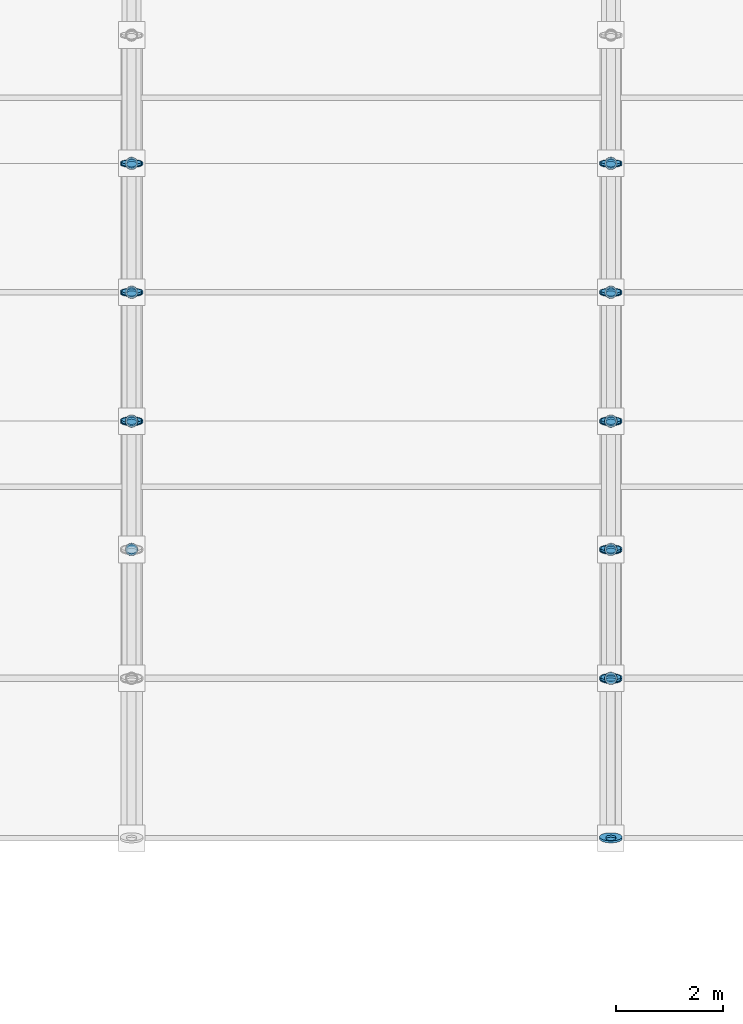
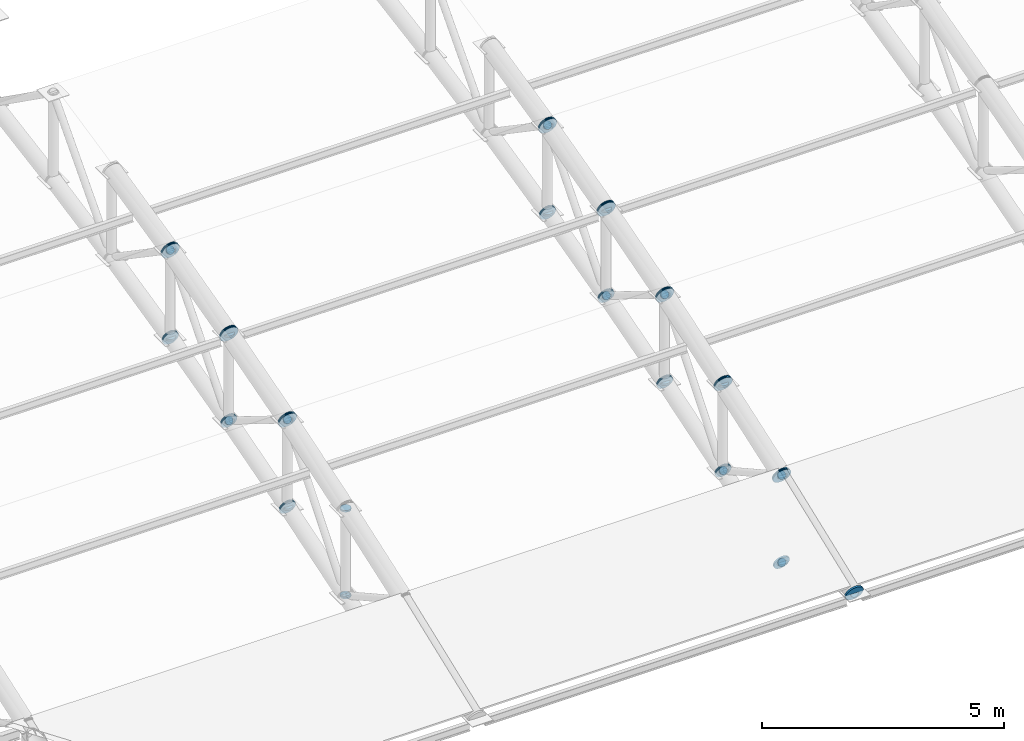
# One storey, part 118 of 195: 68 discrete accessories.
"""IFC4 building model written with IfcOpenShell, lengths in metres."""

from ifc_helpers import new_model, si_unit, direction, frame, origin, origin_2d, place, context, subcontext, project, spatial, circle, extrude, material, element, save


model = new_model("IFC4")

# Units and contexts
model_context = context("Model", 3, precision=1e-05, world=origin(), true_north=direction((0.0, 1.0)))
body_context = subcontext(model_context, "Body", "Model", "MODEL_VIEW")
ifc_project = project(units=[si_unit("LENGTHUNIT", "METRE"), si_unit("AREAUNIT", "SQUARE_METRE"), si_unit("VOLUMEUNIT", "CUBIC_METRE"), si_unit("PLANEANGLEUNIT", "RADIAN"), si_unit("MASSUNIT", "GRAM", prefix="KILO")], contexts=[model_context])

# Site, building, storey
site_placement = place(None, origin())
site = spatial("IfcSite", under=ifc_project, at=site_placement, CompositionType="ELEMENT")
building_placement = place(site_placement, origin())
building = spatial("IfcBuilding", under=site, at=building_placement, Name="Marlcrest Central Station", CompositionType="ELEMENT")
storey_placement = place(building_placement, frame((0.0, 0.0, 9.800048828125)))
storey = spatial("IfcBuildingStorey", under=building, at=storey_placement, Name="L02", CompositionType="ELEMENT", Elevation=9.800048828125)

# Discrete accessories
ifc_material = material(Name="Steel S355", Category="steel")
discrete_accessory_1_placement = place(storey_placement, frame((18.0, 41.306396484375, 3.2158203125), z_axis=(0.0, 0.952116828449, 0.305734435391), x_axis=(-1.0, 0.0, 0.0)))
element("IfcDiscreteAccessory", 1, at=discrete_accessory_1_placement, inside=storey, material=ifc_material, Name="endcap-mem-AC-01-L02-00299-e", ObjectType="END_CAP_PLATE", PredefinedType="BRACKET", context=body_context, shape_type="SweptSolid", body=[
    extrude(circle(Radius=0.211181640625, at=origin_2d()), origin(), (0.0, 0.0, 1.0), 0.0400390625),
])
discrete_accessory_2_placement = place(storey_placement, frame((18.0, 41.306396484375, 1.015869140625), z_axis=(0.0, 0.952116828449, 0.305734435391), x_axis=(-1.0, 0.0, 0.0)))
element("IfcDiscreteAccessory", 2, at=discrete_accessory_2_placement, inside=storey, material=ifc_material, Name="endcap-mem-AC-02-L02-00300-e", ObjectType="END_CAP_PLATE", PredefinedType="BRACKET", context=body_context, shape_type="SweptSolid", body=[
    extrude(circle(Radius=0.185791015625, at=origin_2d()), origin(), (0.0, 0.0, 1.0), 0.0400390625),
])
for number, where, z_axis, x_axis, name in (
    (3, (18.0, 38.919921875, 0.234619140625), (0.0, 0.0, 1.0), (1.0, 0.0, 0.0), "endcap-mem-AP-01-L02-00301-s"),
    (4, (18.0, 38.919921875, 2.424560546875), (0.0, 0.0, 1.0), (1.0, 0.0, 0.0), "endcap-mem-AP-01-L02-00301-e"),
):
    element("IfcDiscreteAccessory", number, at=place(storey_placement, frame(where, z_axis=z_axis, x_axis=x_axis)), inside=storey, material=ifc_material, Name=name, ObjectType="END_CAP_PLATE", PredefinedType="BRACKET", context=body_context, shape_type="SweptSolid", body=[
        extrude(circle(Radius=0.117431640625, at=origin_2d()), origin(), (0.0, 0.0, 1.0), 0.0400390625),
    ])
for number, where, z_axis, x_axis, name in (
    (5, (18.0, 38.910400390625, 0.23779296875), (0.0, 0.62962929743, 0.776895712318), (-1.0, 0.0, 0.0), "endcap-mem-AD-01-L02-00302-s"),
    (6, (18.0, 41.314453125, 3.203857421875), (0.0, 0.62962929743, 0.776895712318), (-1.0, 0.0, 0.0), "endcap-mem-AD-01-L02-00302-e"),
):
    element("IfcDiscreteAccessory", number, at=place(storey_placement, frame(where, z_axis=z_axis, x_axis=x_axis)), inside=storey, material=ifc_material, Name=name, ObjectType="END_CAP_PLATE", PredefinedType="BRACKET", context=body_context, shape_type="SweptSolid", body=[
        extrude(circle(Radius=0.092041015625, at=origin_2d()), origin(), (0.0, 0.0, 1.0), 0.0400390625),
    ])
for number, where, z_axis, x_axis, name in (
    (7, (18.0, 41.315673828125, 3.21923828125), (0.0, 0.960130083362, 0.27955361386), (-1.0, 0.0, 0.0), "endcap-mem-AC-01-L02-00303-s"),
    (8, (18.0, 43.72607421875, 3.9208984375), (0.0, 0.960130083362, 0.27955361386), (-1.0, 0.0, 0.0), "endcap-mem-AC-01-L02-00303-e"),
):
    element("IfcDiscreteAccessory", number, at=place(storey_placement, frame(where, z_axis=z_axis, x_axis=x_axis)), inside=storey, material=ifc_material, Name=name, ObjectType="END_CAP_PLATE", PredefinedType="BRACKET", context=body_context, shape_type="SweptSolid", body=[
        extrude(circle(Radius=0.211181640625, at=origin_2d()), origin(), (0.0, 0.0, 1.0), 0.0400390625),
    ])
for number, where, z_axis, x_axis, name in (
    (9, (18.0, 41.315673828125, 1.019287109375), (0.0, 0.960130083362, 0.27955361386), (-1.0, 0.0, 0.0), "endcap-mem-AC-02-L02-00304-s"),
    (10, (18.0, 43.72607421875, 1.720947265625), (0.0, 0.960130083362, 0.27955361386), (-1.0, 0.0, 0.0), "endcap-mem-AC-02-L02-00304-e"),
):
    element("IfcDiscreteAccessory", number, at=place(storey_placement, frame(where, z_axis=z_axis, x_axis=x_axis)), inside=storey, material=ifc_material, Name=name, ObjectType="END_CAP_PLATE", PredefinedType="BRACKET", context=body_context, shape_type="SweptSolid", body=[
        extrude(circle(Radius=0.185791015625, at=origin_2d()), origin(), (0.0, 0.0, 1.0), 0.0400390625),
    ])
for number, where, z_axis, x_axis, name in (
    (11, (18.0, 41.330078125, 1.008544921875), (0.0, 0.0, 1.0), (1.0, 0.0, 0.0), "endcap-mem-AP-01-L02-00305-s"),
    (12, (18.0, 41.330078125, 3.198486328125), (0.0, 0.0, 1.0), (1.0, 0.0, 0.0), "endcap-mem-AP-01-L02-00305-e"),
):
    element("IfcDiscreteAccessory", number, at=place(storey_placement, frame(where, z_axis=z_axis, x_axis=x_axis)), inside=storey, material=ifc_material, Name=name, ObjectType="END_CAP_PLATE", PredefinedType="BRACKET", context=body_context, shape_type="SweptSolid", body=[
        extrude(circle(Radius=0.117431640625, at=origin_2d()), origin(), (0.0, 0.0, 1.0), 0.0400390625),
    ])
for number, where, z_axis, x_axis, name in (
    (13, (18.0, 41.3173828125, 3.231201171875), (0.0, 0.850687380038, -0.525671933286), (-1.0, 0.0, 0.0), "endcap-mem-AD-01-L02-00306-s"),
    (14, (18.0, 43.728759765625, 1.7412109375), (0.0, 0.850687380038, -0.525671933286), (-1.0, 0.0, 0.0), "endcap-mem-AD-01-L02-00306-e"),
):
    element("IfcDiscreteAccessory", number, at=place(storey_placement, frame(where, z_axis=z_axis, x_axis=x_axis)), inside=storey, material=ifc_material, Name=name, ObjectType="END_CAP_PLATE", PredefinedType="BRACKET", context=body_context, shape_type="SweptSolid", body=[
        extrude(circle(Radius=0.092041015625, at=origin_2d()), origin(), (0.0, 0.0, 1.0), 0.0400390625),
    ])
for number, where, z_axis, x_axis, name in (
    (15, (18.0, 43.735595703125, 3.924072265625), (0.0, 0.967539481681, 0.252719906989), (-1.0, 0.0, 0.0), "endcap-mem-AC-01-L02-00307-s"),
    (16, (18.0, 46.145751953125, 4.5537109375), (0.0, 0.967539481681, 0.252719906989), (-1.0, 0.0, 0.0), "endcap-mem-AC-01-L02-00307-e"),
):
    element("IfcDiscreteAccessory", number, at=place(storey_placement, frame(where, z_axis=z_axis, x_axis=x_axis)), inside=storey, material=ifc_material, Name=name, ObjectType="END_CAP_PLATE", PredefinedType="BRACKET", context=body_context, shape_type="SweptSolid", body=[
        extrude(circle(Radius=0.211181640625, at=origin_2d()), origin(), (0.0, 0.0, 1.0), 0.0400390625),
    ])
for number, where, z_axis, x_axis, name in (
    (17, (18.0, 43.735595703125, 1.72412109375), (0.0, 0.967563345928, 0.252628524946), (-1.0, 0.0, 0.0), "endcap-mem-AC-02-L02-00308-s"),
    (18, (18.0, 46.145751953125, 2.353515625), (0.0, 0.967563345928, 0.252628524946), (-1.0, 0.0, 0.0), "endcap-mem-AC-02-L02-00308-e"),
):
    element("IfcDiscreteAccessory", number, at=place(storey_placement, frame(where, z_axis=z_axis, x_axis=x_axis)), inside=storey, material=ifc_material, Name=name, ObjectType="END_CAP_PLATE", PredefinedType="BRACKET", context=body_context, shape_type="SweptSolid", body=[
        extrude(circle(Radius=0.185791015625, at=origin_2d()), origin(), (0.0, 0.0, 1.0), 0.0400390625),
    ])
for number, where, z_axis, x_axis, name in (
    (19, (18.0, 43.75, 1.713134765625), (0.0, 0.0, 1.0), (1.0, 0.0, 0.0), "endcap-mem-AP-01-L02-00309-s"),
    (20, (18.0, 43.75, 3.903076171875), (0.0, 0.0, 1.0), (1.0, 0.0, 0.0), "endcap-mem-AP-01-L02-00309-e"),
):
    element("IfcDiscreteAccessory", number, at=place(storey_placement, frame(where, z_axis=z_axis, x_axis=x_axis)), inside=storey, material=ifc_material, Name=name, ObjectType="END_CAP_PLATE", PredefinedType="BRACKET", context=body_context, shape_type="SweptSolid", body=[
        extrude(circle(Radius=0.117431640625, at=origin_2d()), origin(), (0.0, 0.0, 1.0), 0.0400390625),
    ])
for number, where, z_axis, x_axis, name in (
    (21, (18.0, 43.740234375, 1.716552734375), (0.0, 0.649624779144, 0.760254987699), (-1.0, 0.0, 0.0), "endcap-mem-AD-01-L02-00310-s"),
    (22, (18.0, 46.153564453125, 4.541015625), (0.0, 0.649624779144, 0.760254987699), (-1.0, 0.0, 0.0), "endcap-mem-AD-01-L02-00310-e"),
):
    element("IfcDiscreteAccessory", number, at=place(storey_placement, frame(where, z_axis=z_axis, x_axis=x_axis)), inside=storey, material=ifc_material, Name=name, ObjectType="END_CAP_PLATE", PredefinedType="BRACKET", context=body_context, shape_type="SweptSolid", body=[
        extrude(circle(Radius=0.092041015625, at=origin_2d()), origin(), (0.0, 0.0, 1.0), 0.0400390625),
    ])
discrete_accessory_3_placement = place(storey_placement, frame((18.0, 46.1552734375, 4.556640625), z_axis=(0.0, 0.974329612642, 0.225126200004), x_axis=(-1.0, 0.0, 0.0)))
element("IfcDiscreteAccessory", 23, at=discrete_accessory_3_placement, inside=storey, material=ifc_material, Name="endcap-mem-AC-01-L02-00311-s", ObjectType="END_CAP_PLATE", PredefinedType="BRACKET", context=body_context, shape_type="SweptSolid", body=[
    extrude(circle(Radius=0.211181640625, at=origin_2d()), origin(), (0.0, 0.0, 1.0), 0.0400390625),
])
discrete_accessory_4_placement = place(storey_placement, frame((18.0, 46.1552734375, 2.3564453125), z_axis=(0.0, 0.974307959875, 0.225219891049), x_axis=(-1.0, 0.0, 0.0)))
element("IfcDiscreteAccessory", 24, at=discrete_accessory_4_placement, inside=storey, material=ifc_material, Name="endcap-mem-AC-02-L02-00312-s", ObjectType="END_CAP_PLATE", PredefinedType="BRACKET", context=body_context, shape_type="SweptSolid", body=[
    extrude(circle(Radius=0.185791015625, at=origin_2d()), origin(), (0.0, 0.0, 1.0), 0.0400390625),
])
for number, where, z_axis, x_axis, name in (
    (25, (18.0, 46.169921875, 2.344970703125), (0.0, 0.0, 1.0), (1.0, 0.0, 0.0), "endcap-mem-AP-01-L02-00313-s"),
    (26, (18.0, 46.169921875, 4.53515625), (0.0, 0.0, 1.0), (1.0, 0.0, 0.0), "endcap-mem-AP-01-L02-00313-e"),
):
    element("IfcDiscreteAccessory", number, at=place(storey_placement, frame(where, z_axis=z_axis, x_axis=x_axis)), inside=storey, material=ifc_material, Name=name, ObjectType="END_CAP_PLATE", PredefinedType="BRACKET", context=body_context, shape_type="SweptSolid", body=[
        extrude(circle(Radius=0.117431640625, at=origin_2d()), origin(), (0.0, 0.0, 1.0), 0.0400390625),
    ])
discrete_accessory_5_placement = place(storey_placement, frame((18.0, 46.157470703125, 4.568603515625), z_axis=(0.0, 0.82626275624, -0.563284881432), x_axis=(-1.0, 0.0, 0.0)))
element("IfcDiscreteAccessory", 27, at=discrete_accessory_5_placement, inside=storey, material=ifc_material, Name="endcap-mem-AD-01-L02-00314-s", ObjectType="END_CAP_PLATE", PredefinedType="BRACKET", context=body_context, shape_type="SweptSolid", body=[
    extrude(circle(Radius=0.092041015625, at=origin_2d()), origin(), (0.0, 0.0, 1.0), 0.0400390625),
])
for number, where, z_axis, x_axis, name in (
    (28, (27.0, 33.486083984375, 0.4404296875), (0.0, 0.933324071143, 0.359035065453), (-1.0, 0.0, 0.0), "endcap-mem-AC-01-L02-00409-s"),
    (29, (27.0, 36.4765625, 1.5908203125), (0.0, 0.933324071143, 0.359035065453), (-1.0, 0.0, 0.0), "endcap-mem-AC-01-L02-00409-e"),
):
    element("IfcDiscreteAccessory", number, at=place(storey_placement, frame(where, z_axis=z_axis, x_axis=x_axis)), inside=storey, material=ifc_material, Name=name, ObjectType="END_CAP_PLATE", PredefinedType="BRACKET", context=body_context, shape_type="SweptSolid", body=[
        extrude(circle(Radius=0.211181640625, at=origin_2d()), origin(), (0.0, 0.0, 1.0), 0.0400390625),
    ])
for number, where, z_axis, x_axis, name in (
    (30, (27.0, 36.51416015625, -0.60498046875), (0.0, -0.944260188635, 0.329200085296), (1.0, 0.0, 0.0), "endcap-mem-AD-01-L02-00410-s"),
    (31, (27.0, 33.523681640625, 0.4375), (0.0, -0.944260188635, 0.329200085296), (1.0, 0.0, 0.0), "endcap-mem-AD-01-L02-00410-e"),
):
    element("IfcDiscreteAccessory", number, at=place(storey_placement, frame(where, z_axis=z_axis, x_axis=x_axis)), inside=storey, material=ifc_material, Name=name, ObjectType="END_CAP_PLATE", PredefinedType="BRACKET", context=body_context, shape_type="SweptSolid", body=[
        extrude(circle(Radius=0.092041015625, at=origin_2d()), origin(), (0.0, 0.0, 1.0), 0.0400390625),
    ])
for number, where, z_axis, x_axis, name in (
    (32, (27.0, 36.48583984375, 1.594970703125), (0.0, 0.94353735649, 0.331266142109), (-1.0, 0.0, 0.0), "endcap-mem-AC-01-L02-00411-s"),
    (33, (27.0, 38.896240234375, 2.441162109375), (0.0, 0.94353735649, 0.331266142109), (-1.0, 0.0, 0.0), "endcap-mem-AC-01-L02-00411-e"),
):
    element("IfcDiscreteAccessory", number, at=place(storey_placement, frame(where, z_axis=z_axis, x_axis=x_axis)), inside=storey, material=ifc_material, Name=name, ObjectType="END_CAP_PLATE", PredefinedType="BRACKET", context=body_context, shape_type="SweptSolid", body=[
        extrude(circle(Radius=0.211181640625, at=origin_2d()), origin(), (0.0, 0.0, 1.0), 0.0400390625),
    ])
for number, where, z_axis, x_axis, name in (
    (34, (27.0, 36.48583984375, -0.60498046875), (0.0, 0.94353735649, 0.331266142109), (-1.0, 0.0, 0.0), "endcap-mem-AC-02-L02-00412-s"),
    (35, (27.0, 38.896240234375, 0.2412109375), (0.0, 0.94353735649, 0.331266142109), (-1.0, 0.0, 0.0), "endcap-mem-AC-02-L02-00412-e"),
):
    element("IfcDiscreteAccessory", number, at=place(storey_placement, frame(where, z_axis=z_axis, x_axis=x_axis)), inside=storey, material=ifc_material, Name=name, ObjectType="END_CAP_PLATE", PredefinedType="BRACKET", context=body_context, shape_type="SweptSolid", body=[
        extrude(circle(Radius=0.185791015625, at=origin_2d()), origin(), (0.0, 0.0, 1.0), 0.0400390625),
    ])
for number, where, z_axis, x_axis, name in (
    (36, (27.0, 36.5, -0.614990234375), (0.0, 0.0, 1.0), (1.0, 0.0, 0.0), "endcap-mem-AP-01-L02-00413-s"),
    (37, (27.0, 36.5, 1.574951171875), (0.0, 0.0, 1.0), (1.0, 0.0, 0.0), "endcap-mem-AP-01-L02-00413-e"),
):
    element("IfcDiscreteAccessory", number, at=place(storey_placement, frame(where, z_axis=z_axis, x_axis=x_axis)), inside=storey, material=ifc_material, Name=name, ObjectType="END_CAP_PLATE", PredefinedType="BRACKET", context=body_context, shape_type="SweptSolid", body=[
        extrude(circle(Radius=0.117431640625, at=origin_2d()), origin(), (0.0, 0.0, 1.0), 0.0400390625),
    ])
for number, where, z_axis, x_axis, name in (
    (38, (27.0, 36.48681640625, 1.607177734375), (0.0, 0.873245653167, -0.487280236851), (-1.0, 0.0, 0.0), "endcap-mem-AD-01-L02-00414-s"),
    (39, (27.0, 38.898193359375, 0.26171875), (0.0, 0.873245653167, -0.487280236851), (-1.0, 0.0, 0.0), "endcap-mem-AD-01-L02-00414-e"),
):
    element("IfcDiscreteAccessory", number, at=place(storey_placement, frame(where, z_axis=z_axis, x_axis=x_axis)), inside=storey, material=ifc_material, Name=name, ObjectType="END_CAP_PLATE", PredefinedType="BRACKET", context=body_context, shape_type="SweptSolid", body=[
        extrude(circle(Radius=0.092041015625, at=origin_2d()), origin(), (0.0, 0.0, 1.0), 0.0400390625),
    ])
for number, where, z_axis, x_axis, name in (
    (40, (27.0, 38.90576171875, 2.44482421875), (0.0, 0.952116828449, 0.305734435391), (-1.0, 0.0, 0.0), "endcap-mem-AC-01-L02-00415-s"),
    (41, (27.0, 41.306396484375, 3.2158203125), (0.0, 0.952116828449, 0.305734435391), (-1.0, 0.0, 0.0), "endcap-mem-AC-01-L02-00415-e"),
):
    element("IfcDiscreteAccessory", number, at=place(storey_placement, frame(where, z_axis=z_axis, x_axis=x_axis)), inside=storey, material=ifc_material, Name=name, ObjectType="END_CAP_PLATE", PredefinedType="BRACKET", context=body_context, shape_type="SweptSolid", body=[
        extrude(circle(Radius=0.211181640625, at=origin_2d()), origin(), (0.0, 0.0, 1.0), 0.0400390625),
    ])
for number, where, z_axis, x_axis, name in (
    (42, (27.0, 38.90576171875, 0.244873046875), (0.0, 0.952116828449, 0.305734435391), (-1.0, 0.0, 0.0), "endcap-mem-AC-02-L02-00416-s"),
    (43, (27.0, 41.306396484375, 1.015869140625), (0.0, 0.952116828449, 0.305734435391), (-1.0, 0.0, 0.0), "endcap-mem-AC-02-L02-00416-e"),
):
    element("IfcDiscreteAccessory", number, at=place(storey_placement, frame(where, z_axis=z_axis, x_axis=x_axis)), inside=storey, material=ifc_material, Name=name, ObjectType="END_CAP_PLATE", PredefinedType="BRACKET", context=body_context, shape_type="SweptSolid", body=[
        extrude(circle(Radius=0.185791015625, at=origin_2d()), origin(), (0.0, 0.0, 1.0), 0.0400390625),
    ])
for number, where, z_axis, x_axis, name in (
    (44, (27.0, 38.919921875, 0.234619140625), (0.0, 0.0, 1.0), (1.0, 0.0, 0.0), "endcap-mem-AP-01-L02-00417-s"),
    (45, (27.0, 38.919921875, 2.424560546875), (0.0, 0.0, 1.0), (1.0, 0.0, 0.0), "endcap-mem-AP-01-L02-00417-e"),
):
    element("IfcDiscreteAccessory", number, at=place(storey_placement, frame(where, z_axis=z_axis, x_axis=x_axis)), inside=storey, material=ifc_material, Name=name, ObjectType="END_CAP_PLATE", PredefinedType="BRACKET", context=body_context, shape_type="SweptSolid", body=[
        extrude(circle(Radius=0.117431640625, at=origin_2d()), origin(), (0.0, 0.0, 1.0), 0.0400390625),
    ])
for number, where, z_axis, x_axis, name in (
    (46, (27.0, 38.910400390625, 0.23779296875), (0.0, 0.62962929743, 0.776895712318), (-1.0, 0.0, 0.0), "endcap-mem-AD-01-L02-00418-s"),
    (47, (27.0, 41.314453125, 3.203857421875), (0.0, 0.62962929743, 0.776895712318), (-1.0, 0.0, 0.0), "endcap-mem-AD-01-L02-00418-e"),
):
    element("IfcDiscreteAccessory", number, at=place(storey_placement, frame(where, z_axis=z_axis, x_axis=x_axis)), inside=storey, material=ifc_material, Name=name, ObjectType="END_CAP_PLATE", PredefinedType="BRACKET", context=body_context, shape_type="SweptSolid", body=[
        extrude(circle(Radius=0.092041015625, at=origin_2d()), origin(), (0.0, 0.0, 1.0), 0.0400390625),
    ])
for number, where, z_axis, x_axis, name in (
    (48, (27.0, 41.315673828125, 3.21923828125), (0.0, 0.960130083362, 0.27955361386), (-1.0, 0.0, 0.0), "endcap-mem-AC-01-L02-00419-s"),
    (49, (27.0, 43.72607421875, 3.9208984375), (0.0, 0.960130083362, 0.27955361386), (-1.0, 0.0, 0.0), "endcap-mem-AC-01-L02-00419-e"),
):
    element("IfcDiscreteAccessory", number, at=place(storey_placement, frame(where, z_axis=z_axis, x_axis=x_axis)), inside=storey, material=ifc_material, Name=name, ObjectType="END_CAP_PLATE", PredefinedType="BRACKET", context=body_context, shape_type="SweptSolid", body=[
        extrude(circle(Radius=0.211181640625, at=origin_2d()), origin(), (0.0, 0.0, 1.0), 0.0400390625),
    ])
for number, where, z_axis, x_axis, name in (
    (50, (27.0, 41.315673828125, 1.019287109375), (0.0, 0.960130083362, 0.27955361386), (-1.0, 0.0, 0.0), "endcap-mem-AC-02-L02-00420-s"),
    (51, (27.0, 43.72607421875, 1.720947265625), (0.0, 0.960130083362, 0.27955361386), (-1.0, 0.0, 0.0), "endcap-mem-AC-02-L02-00420-e"),
):
    element("IfcDiscreteAccessory", number, at=place(storey_placement, frame(where, z_axis=z_axis, x_axis=x_axis)), inside=storey, material=ifc_material, Name=name, ObjectType="END_CAP_PLATE", PredefinedType="BRACKET", context=body_context, shape_type="SweptSolid", body=[
        extrude(circle(Radius=0.185791015625, at=origin_2d()), origin(), (0.0, 0.0, 1.0), 0.0400390625),
    ])
for number, where, z_axis, x_axis, name in (
    (52, (27.0, 41.330078125, 1.008544921875), (0.0, 0.0, 1.0), (1.0, 0.0, 0.0), "endcap-mem-AP-01-L02-00421-s"),
    (53, (27.0, 41.330078125, 3.198486328125), (0.0, 0.0, 1.0), (1.0, 0.0, 0.0), "endcap-mem-AP-01-L02-00421-e"),
):
    element("IfcDiscreteAccessory", number, at=place(storey_placement, frame(where, z_axis=z_axis, x_axis=x_axis)), inside=storey, material=ifc_material, Name=name, ObjectType="END_CAP_PLATE", PredefinedType="BRACKET", context=body_context, shape_type="SweptSolid", body=[
        extrude(circle(Radius=0.117431640625, at=origin_2d()), origin(), (0.0, 0.0, 1.0), 0.0400390625),
    ])
for number, where, z_axis, x_axis, name in (
    (54, (27.0, 41.3173828125, 3.231201171875), (0.0, 0.850687380038, -0.525671933286), (-1.0, 0.0, 0.0), "endcap-mem-AD-01-L02-00422-s"),
    (55, (27.0, 43.728759765625, 1.7412109375), (0.0, 0.850687380038, -0.525671933286), (-1.0, 0.0, 0.0), "endcap-mem-AD-01-L02-00422-e"),
):
    element("IfcDiscreteAccessory", number, at=place(storey_placement, frame(where, z_axis=z_axis, x_axis=x_axis)), inside=storey, material=ifc_material, Name=name, ObjectType="END_CAP_PLATE", PredefinedType="BRACKET", context=body_context, shape_type="SweptSolid", body=[
        extrude(circle(Radius=0.092041015625, at=origin_2d()), origin(), (0.0, 0.0, 1.0), 0.0400390625),
    ])
for number, where, z_axis, x_axis, name in (
    (56, (27.0, 43.735595703125, 3.924072265625), (0.0, 0.967539481681, 0.252719906989), (-1.0, 0.0, 0.0), "endcap-mem-AC-01-L02-00423-s"),
    (57, (27.0, 46.145751953125, 4.5537109375), (0.0, 0.967539481681, 0.252719906989), (-1.0, 0.0, 0.0), "endcap-mem-AC-01-L02-00423-e"),
):
    element("IfcDiscreteAccessory", number, at=place(storey_placement, frame(where, z_axis=z_axis, x_axis=x_axis)), inside=storey, material=ifc_material, Name=name, ObjectType="END_CAP_PLATE", PredefinedType="BRACKET", context=body_context, shape_type="SweptSolid", body=[
        extrude(circle(Radius=0.211181640625, at=origin_2d()), origin(), (0.0, 0.0, 1.0), 0.0400390625),
    ])
for number, where, z_axis, x_axis, name in (
    (58, (27.0, 43.735595703125, 1.72412109375), (0.0, 0.967563345928, 0.252628524946), (-1.0, 0.0, 0.0), "endcap-mem-AC-02-L02-00424-s"),
    (59, (27.0, 46.145751953125, 2.353515625), (0.0, 0.967563345928, 0.252628524946), (-1.0, 0.0, 0.0), "endcap-mem-AC-02-L02-00424-e"),
):
    element("IfcDiscreteAccessory", number, at=place(storey_placement, frame(where, z_axis=z_axis, x_axis=x_axis)), inside=storey, material=ifc_material, Name=name, ObjectType="END_CAP_PLATE", PredefinedType="BRACKET", context=body_context, shape_type="SweptSolid", body=[
        extrude(circle(Radius=0.185791015625, at=origin_2d()), origin(), (0.0, 0.0, 1.0), 0.0400390625),
    ])
for number, where, z_axis, x_axis, name in (
    (60, (27.0, 43.75, 1.713134765625), (0.0, 0.0, 1.0), (1.0, 0.0, 0.0), "endcap-mem-AP-01-L02-00425-s"),
    (61, (27.0, 43.75, 3.903076171875), (0.0, 0.0, 1.0), (1.0, 0.0, 0.0), "endcap-mem-AP-01-L02-00425-e"),
):
    element("IfcDiscreteAccessory", number, at=place(storey_placement, frame(where, z_axis=z_axis, x_axis=x_axis)), inside=storey, material=ifc_material, Name=name, ObjectType="END_CAP_PLATE", PredefinedType="BRACKET", context=body_context, shape_type="SweptSolid", body=[
        extrude(circle(Radius=0.117431640625, at=origin_2d()), origin(), (0.0, 0.0, 1.0), 0.0400390625),
    ])
for number, where, z_axis, x_axis, name in (
    (62, (27.0, 43.740234375, 1.716552734375), (0.0, 0.649624779144, 0.760254987699), (-1.0, 0.0, 0.0), "endcap-mem-AD-01-L02-00426-s"),
    (63, (27.0, 46.153564453125, 4.541015625), (0.0, 0.649624779144, 0.760254987699), (-1.0, 0.0, 0.0), "endcap-mem-AD-01-L02-00426-e"),
):
    element("IfcDiscreteAccessory", number, at=place(storey_placement, frame(where, z_axis=z_axis, x_axis=x_axis)), inside=storey, material=ifc_material, Name=name, ObjectType="END_CAP_PLATE", PredefinedType="BRACKET", context=body_context, shape_type="SweptSolid", body=[
        extrude(circle(Radius=0.092041015625, at=origin_2d()), origin(), (0.0, 0.0, 1.0), 0.0400390625),
    ])
discrete_accessory_6_placement = place(storey_placement, frame((27.0, 46.1552734375, 4.556640625), z_axis=(0.0, 0.974329612642, 0.225126200004), x_axis=(-1.0, 0.0, 0.0)))
element("IfcDiscreteAccessory", 64, at=discrete_accessory_6_placement, inside=storey, material=ifc_material, Name="endcap-mem-AC-01-L02-00427-s", ObjectType="END_CAP_PLATE", PredefinedType="BRACKET", context=body_context, shape_type="SweptSolid", body=[
    extrude(circle(Radius=0.211181640625, at=origin_2d()), origin(), (0.0, 0.0, 1.0), 0.0400390625),
])
discrete_accessory_7_placement = place(storey_placement, frame((27.0, 46.1552734375, 2.3564453125), z_axis=(0.0, 0.974307959875, 0.225219891049), x_axis=(-1.0, 0.0, 0.0)))
element("IfcDiscreteAccessory", 65, at=discrete_accessory_7_placement, inside=storey, material=ifc_material, Name="endcap-mem-AC-02-L02-00428-s", ObjectType="END_CAP_PLATE", PredefinedType="BRACKET", context=body_context, shape_type="SweptSolid", body=[
    extrude(circle(Radius=0.185791015625, at=origin_2d()), origin(), (0.0, 0.0, 1.0), 0.0400390625),
])
for number, where, z_axis, x_axis, name in (
    (66, (27.0, 46.169921875, 2.344970703125), (0.0, 0.0, 1.0), (1.0, 0.0, 0.0), "endcap-mem-AP-01-L02-00429-s"),
    (67, (27.0, 46.169921875, 4.53515625), (0.0, 0.0, 1.0), (1.0, 0.0, 0.0), "endcap-mem-AP-01-L02-00429-e"),
):
    element("IfcDiscreteAccessory", number, at=place(storey_placement, frame(where, z_axis=z_axis, x_axis=x_axis)), inside=storey, material=ifc_material, Name=name, ObjectType="END_CAP_PLATE", PredefinedType="BRACKET", context=body_context, shape_type="SweptSolid", body=[
        extrude(circle(Radius=0.117431640625, at=origin_2d()), origin(), (0.0, 0.0, 1.0), 0.0400390625),
    ])
discrete_accessory_8_placement = place(storey_placement, frame((27.0, 46.157470703125, 4.568603515625), z_axis=(0.0, 0.82626275624, -0.563284881432), x_axis=(-1.0, 0.0, 0.0)))
element("IfcDiscreteAccessory", 68, at=discrete_accessory_8_placement, inside=storey, material=ifc_material, Name="endcap-mem-AD-01-L02-00430-s", ObjectType="END_CAP_PLATE", PredefinedType="BRACKET", context=body_context, shape_type="SweptSolid", body=[
    extrude(circle(Radius=0.092041015625, at=origin_2d()), origin(), (0.0, 0.0, 1.0), 0.0400390625),
])

save(model, "model.ifc")
